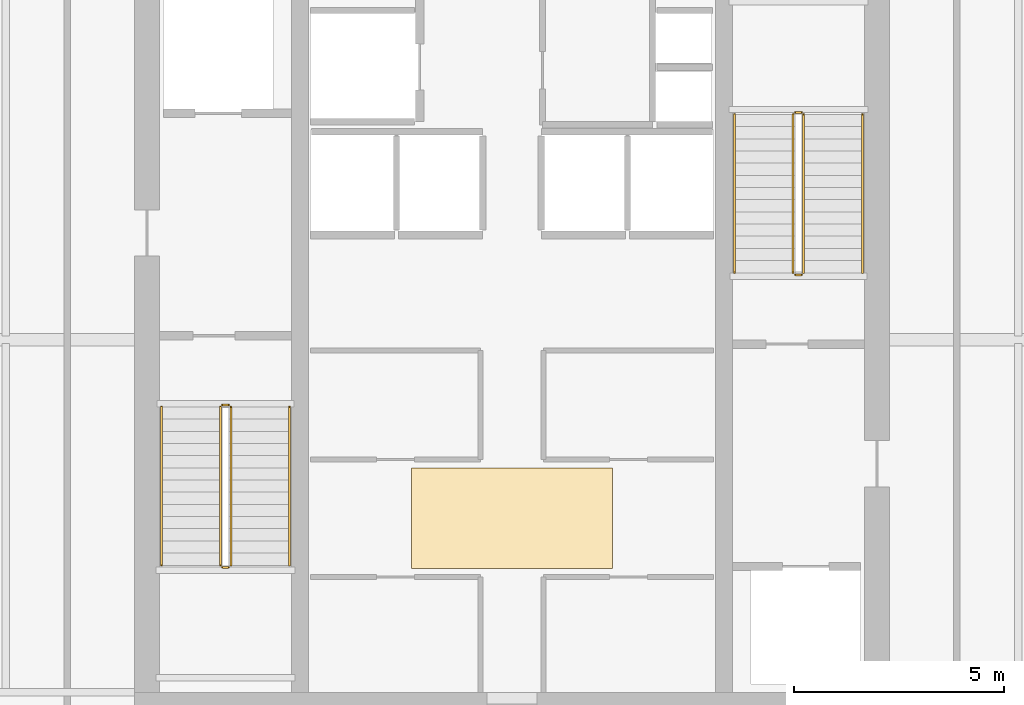
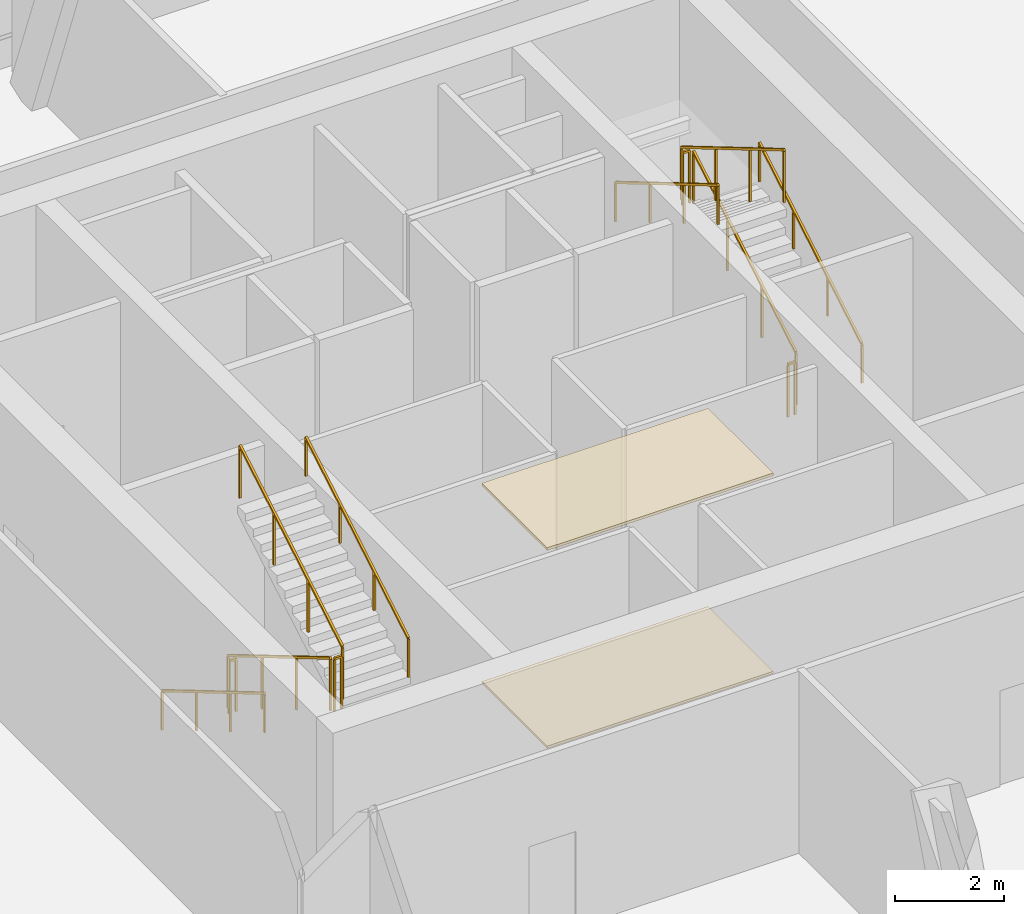
# One storey, part 18 of 18: 12 railings, 2 coverings.
"""IFC4 building model written with IfcOpenShell, lengths in metres."""

from ifc_helpers import new_model, si_unit, direction, frame, origin, origin_2d, place, context, subcontext, project, spatial, polyline, rectangle, outline, extrude, material, layer, layer_set, type_object, element, save


model = new_model("IFC4")

# Units and contexts
model_context = context("Model", 3, precision=1e-05, world=origin(), true_north=direction((0.0, 1.0)))
body_context = subcontext(model_context, "Body", "Model", "MODEL_VIEW")
ifc_project = project(units=[si_unit("LENGTHUNIT", "METRE"), si_unit("AREAUNIT", "SQUARE_METRE"), si_unit("VOLUMEUNIT", "CUBIC_METRE"), si_unit("PLANEANGLEUNIT", "RADIAN"), si_unit("MASSUNIT", "GRAM", prefix="KILO")], contexts=[model_context])

# Site, building, storey
site_placement = place(None, origin())
site = spatial("IfcSite", under=ifc_project, at=site_placement, CompositionType="ELEMENT")
building_placement = place(site_placement, origin())
building = spatial("IfcBuilding", under=site, at=building_placement, Name="Belovzor Exchange Tower", CompositionType="ELEMENT")
storey_placement = place(building_placement, frame((0.0, 0.0, 369.0)))
storey = spatial("IfcBuildingStorey", under=building, at=storey_placement, Name="L92", CompositionType="ELEMENT", Elevation=369.0)

# Railings
ifc_material_1 = material(Name="Stainless Steel Grade 304", Category="steel")
railing_type_1 = type_object("IfcRailingType", Name="Brushed Stainless Steel Stair Handrail 900", PredefinedType="HANDRAIL", material=ifc_material_1)
railing_1_placement = place(storey_placement, frame((20.449951171875, 27.199951171875, 0.17138671875)))
element("IfcRailing", 1, at=railing_1_placement, inside=storey, type_object=railing_type_1, Name="L92 ST-1 stair handrail 1", PredefinedType="HANDRAIL", context=body_context, shape_type="SweptSolid", body=[
    extrude(rectangle(XDim=0.048095703125, YDim=0.048095703125, at=origin_2d()), frame((0.0, 0.0, 0.8759765625), z_axis=(0.0, -0.860848830602, 0.508860777473), x_axis=(1.0, 0.0, 0.0)), (0.0, 0.0, 1.0), 4.37939453125),
    extrude(rectangle(XDim=0.0419921875, YDim=0.0419921875, at=origin_2d()), origin(), (0.0, 0.0, 1.0), 0.851806640625),
    extrude(rectangle(XDim=0.0419921875, YDim=0.0419921875, at=origin_2d()), frame((0.0, -1.256591796875, 0.742919921875)), (0.0, 0.0, 1.0), 0.851806640625),
    extrude(rectangle(XDim=0.0419921875, YDim=0.0419921875, at=origin_2d()), frame((0.0, -2.513427734375, 1.485595703125)), (0.0, 0.0, 1.0), 0.851806640625),
    extrude(rectangle(XDim=0.0419921875, YDim=0.0419921875, at=origin_2d()), frame((0.0, -3.77001953125, 2.228515625)), (0.0, 0.0, 1.0), 0.851806640625),
])
for number, where, name in (
    (2, (23.5, 23.429931640625, 2.571533203125), "L92 ST-1 stair handrail 2"),
    (3, (37.14990234375, 30.39990234375, 0.17138671875), "L92 ST-2 stair handrail 1"),
):
    element("IfcRailing", number, at=place(storey_placement, frame(where)), inside=storey, type_object=railing_type_1, Name=name, PredefinedType="HANDRAIL", context=body_context, shape_type="SweptSolid", body=[
        extrude(rectangle(XDim=0.048095703125, YDim=0.048095703125, at=origin_2d()), frame((0.0, 0.0, 0.8759765625), z_axis=(0.0, 0.860848830602, 0.508860777473), x_axis=(-1.0, 0.0, 0.0)), (0.0, 0.0, 1.0), 4.37939453125),
        extrude(rectangle(XDim=0.0419921875, YDim=0.0419921875, at=origin_2d()), origin(), (0.0, 0.0, 1.0), 0.851806640625),
        extrude(rectangle(XDim=0.0419921875, YDim=0.0419921875, at=origin_2d()), frame((0.0, 1.256591796875, 0.742919921875)), (0.0, 0.0, 1.0), 0.851806640625),
        extrude(rectangle(XDim=0.0419921875, YDim=0.0419921875, at=origin_2d()), frame((0.0, 2.513427734375, 1.485595703125)), (0.0, 0.0, 1.0), 0.851806640625),
        extrude(rectangle(XDim=0.0419921875, YDim=0.0419921875, at=origin_2d()), frame((0.0, 3.77001953125, 2.228515625)), (0.0, 0.0, 1.0), 0.851806640625),
    ])
railing_2_placement = place(storey_placement, frame((34.10009765625, 34.169921875, 2.571533203125)))
element("IfcRailing", 4, at=railing_2_placement, inside=storey, type_object=railing_type_1, Name="L92 ST-2 stair handrail 2", PredefinedType="HANDRAIL", context=body_context, shape_type="SweptSolid", body=[
    extrude(rectangle(XDim=0.048095703125, YDim=0.048095703125, at=origin_2d()), frame((0.0, 0.0, 0.8759765625), z_axis=(0.0, -0.860848830602, 0.508860777473), x_axis=(1.0, 0.0, 0.0)), (0.0, 0.0, 1.0), 4.37939453125),
    extrude(rectangle(XDim=0.0419921875, YDim=0.0419921875, at=origin_2d()), origin(), (0.0, 0.0, 1.0), 0.851806640625),
    extrude(rectangle(XDim=0.0419921875, YDim=0.0419921875, at=origin_2d()), frame((0.0, -1.256591796875, 0.742919921875)), (0.0, 0.0, 1.0), 0.851806640625),
    extrude(rectangle(XDim=0.0419921875, YDim=0.0419921875, at=origin_2d()), frame((0.0, -2.513427734375, 1.485595703125)), (0.0, 0.0, 1.0), 0.851806640625),
    extrude(rectangle(XDim=0.0419921875, YDim=0.0419921875, at=origin_2d()), frame((0.0, -3.77001953125, 2.228515625)), (0.0, 0.0, 1.0), 0.851806640625),
])
ifc_material_2 = material(Name="Steel S355", Category="steel")
railing_type_2 = type_object("IfcRailingType", Name="Painted Steel Stairwell Guardrail 1200", PredefinedType="GUARDRAIL", material=ifc_material_2)
railing_3_placement = place(storey_placement, frame((21.85009765625, 27.199951171875, 0.17138671875)))
element("IfcRailing", 5, at=railing_3_placement, inside=storey, type_object=railing_type_2, Name="L92 ST-1 stair guard 1", PredefinedType="GUARDRAIL", context=body_context, shape_type="SweptSolid", body=[
    extrude(rectangle(XDim=0.048095703125, YDim=0.048095703125, at=origin_2d()), frame((0.0, 0.0, 1.17578125), z_axis=(0.0, -0.860848830602, 0.508860777473), x_axis=(1.0, 0.0, 0.0)), (0.0, 0.0, 1.0), 4.37939453125),
    extrude(rectangle(XDim=0.0419921875, YDim=0.0419921875, at=origin_2d()), origin(), (0.0, 0.0, 1.0), 1.15185546875),
    extrude(rectangle(XDim=0.0419921875, YDim=0.0419921875, at=origin_2d()), frame((0.0, -1.256591796875, 0.742919921875)), (0.0, 0.0, 1.0), 1.15185546875),
    extrude(rectangle(XDim=0.0419921875, YDim=0.0419921875, at=origin_2d()), frame((0.0, -2.513427734375, 1.485595703125)), (0.0, 0.0, 1.0), 1.15185546875),
    extrude(rectangle(XDim=0.0419921875, YDim=0.0419921875, at=origin_2d()), frame((0.0, -3.77001953125, 2.228515625)), (0.0, 0.0, 1.0), 1.15185546875),
])
railing_4_placement = place(storey_placement, frame((21.89990234375, 23.3798828125, 2.39990234375)))
element("IfcRailing", 6, at=railing_4_placement, inside=storey, type_object=railing_type_2, Name="L92 ST-1 stair guard 2", PredefinedType="GUARDRAIL", context=body_context, shape_type="SweptSolid", body=[
    extrude(rectangle(XDim=0.048095703125, YDim=0.048095703125, at=origin_2d()), frame((0.0, 0.0, 1.17578125), z_axis=(1.0, 0.0, 0.0), x_axis=(0.0, 1.0, 0.0)), (0.0, 0.0, 1.0), 0.150146484375),
    extrude(rectangle(XDim=0.0419921875, YDim=0.0419921875, at=origin_2d()), origin(), (0.0, 0.0, 1.0), 1.15185546875),
    extrude(rectangle(XDim=0.0419921875, YDim=0.0419921875, at=origin_2d()), frame((0.150146484375, 0.0, 0.0)), (0.0, 0.0, 1.0), 1.15185546875),
])
railing_5_placement = place(storey_placement, frame((22.10009765625, 23.429931640625, 2.571533203125)))
element("IfcRailing", 7, at=railing_5_placement, inside=storey, type_object=railing_type_2, Name="L92 ST-1 stair guard 3", PredefinedType="GUARDRAIL", context=body_context, shape_type="SweptSolid", body=[
    extrude(rectangle(XDim=0.048095703125, YDim=0.048095703125, at=origin_2d()), frame((0.0, 0.0, 1.17578125), z_axis=(0.0, 0.860848830602, 0.508860777473), x_axis=(-1.0, 0.0, 0.0)), (0.0, 0.0, 1.0), 4.37939453125),
    extrude(rectangle(XDim=0.0419921875, YDim=0.0419921875, at=origin_2d()), origin(), (0.0, 0.0, 1.0), 1.15185546875),
    extrude(rectangle(XDim=0.0419921875, YDim=0.0419921875, at=origin_2d()), frame((0.0, 1.256591796875, 0.742919921875)), (0.0, 0.0, 1.0), 1.15185546875),
    extrude(rectangle(XDim=0.0419921875, YDim=0.0419921875, at=origin_2d()), frame((0.0, 2.513427734375, 1.485595703125)), (0.0, 0.0, 1.0), 1.15185546875),
    extrude(rectangle(XDim=0.0419921875, YDim=0.0419921875, at=origin_2d()), frame((0.0, 3.77001953125, 2.228515625)), (0.0, 0.0, 1.0), 1.15185546875),
])
railing_6_placement = place(storey_placement, frame((21.89990234375, 27.25, 0.0)))
element("IfcRailing", 8, at=railing_6_placement, inside=storey, type_object=railing_type_2, Name="L92 ST-1 stair guard 4", PredefinedType="GUARDRAIL", context=body_context, shape_type="SweptSolid", body=[
    extrude(rectangle(XDim=0.048095703125, YDim=0.048095703125, at=origin_2d()), frame((0.0, 0.0, 1.17578125), z_axis=(1.0, 0.0, 0.0), x_axis=(0.0, 1.0, 0.0)), (0.0, 0.0, 1.0), 0.150146484375),
    extrude(rectangle(XDim=0.0419921875, YDim=0.0419921875, at=origin_2d()), origin(), (0.0, 0.0, 1.0), 1.15185546875),
    extrude(rectangle(XDim=0.0419921875, YDim=0.0419921875, at=origin_2d()), frame((0.150146484375, 0.0, 0.0)), (0.0, 0.0, 1.0), 1.15185546875),
])
railing_7_placement = place(storey_placement, frame((35.75, 30.39990234375, 0.17138671875)))
element("IfcRailing", 9, at=railing_7_placement, inside=storey, type_object=railing_type_2, Name="L92 ST-2 stair guard 1", PredefinedType="GUARDRAIL", context=body_context, shape_type="SweptSolid", body=[
    extrude(rectangle(XDim=0.048095703125, YDim=0.048095703125, at=origin_2d()), frame((0.0, 0.0, 1.17578125), z_axis=(0.0, 0.860848830602, 0.508860777473), x_axis=(-1.0, 0.0, 0.0)), (0.0, 0.0, 1.0), 4.37939453125),
    extrude(rectangle(XDim=0.0419921875, YDim=0.0419921875, at=origin_2d()), origin(), (0.0, 0.0, 1.0), 1.15185546875),
    extrude(rectangle(XDim=0.0419921875, YDim=0.0419921875, at=origin_2d()), frame((0.0, 1.256591796875, 0.742919921875)), (0.0, 0.0, 1.0), 1.15185546875),
    extrude(rectangle(XDim=0.0419921875, YDim=0.0419921875, at=origin_2d()), frame((0.0, 2.513427734375, 1.485595703125)), (0.0, 0.0, 1.0), 1.15185546875),
    extrude(rectangle(XDim=0.0419921875, YDim=0.0419921875, at=origin_2d()), frame((0.0, 3.77001953125, 2.228515625)), (0.0, 0.0, 1.0), 1.15185546875),
])
railing_8_placement = place(storey_placement, frame((35.699951171875, 34.219970703125, 2.39990234375)))
element("IfcRailing", 10, at=railing_8_placement, inside=storey, type_object=railing_type_2, Name="L92 ST-2 stair guard 2", PredefinedType="GUARDRAIL", context=body_context, shape_type="SweptSolid", body=[
    extrude(rectangle(XDim=0.048095703125, YDim=0.048095703125, at=origin_2d()), frame((0.0, 0.0, 1.17578125), z_axis=(-1.0, 0.0, 0.0), x_axis=(0.0, -1.0, 0.0)), (0.0, 0.0, 1.0), 0.14990234375),
    extrude(rectangle(XDim=0.0419921875, YDim=0.0419921875, at=origin_2d()), origin(), (0.0, 0.0, 1.0), 1.15185546875),
    extrude(rectangle(XDim=0.0419921875, YDim=0.0419921875, at=origin_2d()), frame((-0.14990234375, 0.0, 0.0)), (0.0, 0.0, 1.0), 1.15185546875),
])
railing_9_placement = place(storey_placement, frame((35.5, 34.169921875, 2.571533203125)))
element("IfcRailing", 11, at=railing_9_placement, inside=storey, type_object=railing_type_2, Name="L92 ST-2 stair guard 3", PredefinedType="GUARDRAIL", context=body_context, shape_type="SweptSolid", body=[
    extrude(rectangle(XDim=0.048095703125, YDim=0.048095703125, at=origin_2d()), frame((0.0, 0.0, 1.17578125), z_axis=(0.0, -0.860848830602, 0.508860777473), x_axis=(1.0, 0.0, 0.0)), (0.0, 0.0, 1.0), 4.37939453125),
    extrude(rectangle(XDim=0.0419921875, YDim=0.0419921875, at=origin_2d()), origin(), (0.0, 0.0, 1.0), 1.15185546875),
    extrude(rectangle(XDim=0.0419921875, YDim=0.0419921875, at=origin_2d()), frame((0.0, -1.256591796875, 0.742919921875)), (0.0, 0.0, 1.0), 1.15185546875),
    extrude(rectangle(XDim=0.0419921875, YDim=0.0419921875, at=origin_2d()), frame((0.0, -2.513427734375, 1.485595703125)), (0.0, 0.0, 1.0), 1.15185546875),
    extrude(rectangle(XDim=0.0419921875, YDim=0.0419921875, at=origin_2d()), frame((0.0, -3.77001953125, 2.228515625)), (0.0, 0.0, 1.0), 1.15185546875),
])
railing_10_placement = place(storey_placement, frame((35.699951171875, 30.35009765625, 0.0)))
element("IfcRailing", 12, at=railing_10_placement, inside=storey, type_object=railing_type_2, Name="L92 ST-2 stair guard 4", PredefinedType="GUARDRAIL", context=body_context, shape_type="SweptSolid", body=[
    extrude(rectangle(XDim=0.048095703125, YDim=0.048095703125, at=origin_2d()), frame((0.0, 0.0, 1.17578125), z_axis=(-1.0, 0.0, 0.0), x_axis=(0.0, -1.0, 0.0)), (0.0, 0.0, 1.0), 0.14990234375),
    extrude(rectangle(XDim=0.0419921875, YDim=0.0419921875, at=origin_2d()), origin(), (0.0, 0.0, 1.0), 1.15185546875),
    extrude(rectangle(XDim=0.0419921875, YDim=0.0419921875, at=origin_2d()), frame((-0.14990234375, 0.0, 0.0)), (0.0, 0.0, 1.0), 1.15185546875),
])

# Coverings
ifc_material_3 = material(Name="Perforated Powder-Coated Aluminium", Category="aluminium")
ifc_layer_1 = layer(ifc_material_3, 0.06005859375)
ifc_layer_set_1 = layer_set([ifc_layer_1], Name="Perforated Powder-Coated Aluminium")
covering_type_1 = type_object("IfcCoveringType", Name="Perforated Acoustic Metal Tile Suspended Ceiling 60", PredefinedType="CEILING", material=ifc_layer_set_1)
covering_1_placement = place(storey_placement, frame((0.0, 0.0, 4.43994140625)))
element("IfcCovering", 13, at=covering_1_placement, inside=storey, type_object=covering_type_1, Name="CLG-AC60 Suspended Ceiling CLG-L92-LOB", PredefinedType="CEILING", context=body_context, shape_type="SweptSolid", body=[
    extrude(outline(polyline([(26.39990234375, 23.35009765625), (31.199951171875, 23.35009765625), (31.199951171875, 25.75), (26.39990234375, 25.75), (26.39990234375, 23.35009765625)])), origin(), (0.0, 0.0, 1.0), 0.06005859375),
])
ifc_material_4 = material(Name="Polished Natural Granite Tile", Category="masonry")
ifc_layer_2 = layer(ifc_material_4, 0.050048828125)
ifc_layer_set_2 = layer_set([ifc_layer_2], Name="Polished Natural Granite Tile")
covering_type_2 = type_object("IfcCoveringType", Name="Polished Karelian Granite & Raised Access Floor Finish 50", PredefinedType="FLOORING", material=ifc_layer_set_2)
covering_2_placement = place(storey_placement, origin())
element("IfcCovering", 14, at=covering_2_placement, inside=storey, type_object=covering_type_2, Name="FLR-GR50 Floor Finish FLR-L92-LOB", PredefinedType="FLOORING", context=body_context, shape_type="SweptSolid", body=[
    extrude(outline(polyline([(26.39990234375, 23.35009765625), (31.199951171875, 23.35009765625), (31.199951171875, 25.75), (26.39990234375, 25.75), (26.39990234375, 23.35009765625)])), origin(), (0.0, 0.0, 1.0), 0.050048828125),
])

save(model, "model.ifc")
